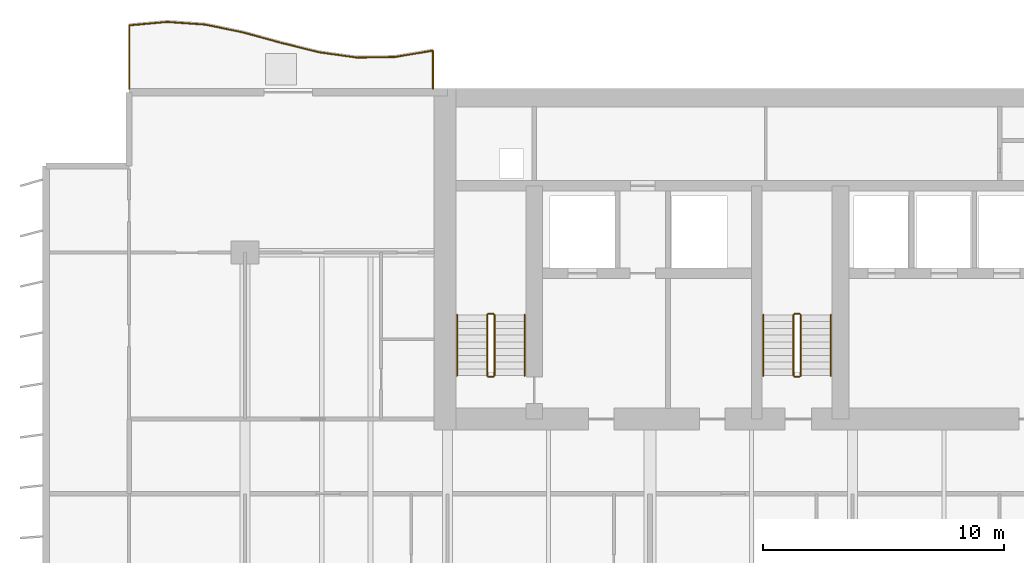
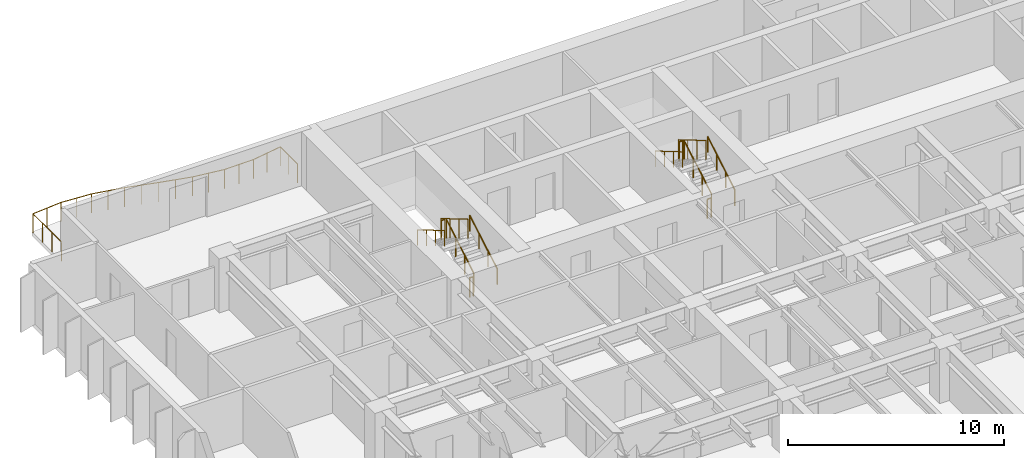
# One storey, part 15 of 17: 13 railings.
"""IFC4 building model written with IfcOpenShell, lengths in metres."""

import ifcopenshell
import ifcopenshell.guid

model = None  # the IFC model being written
_history = None  # IfcOwnerHistory: only IFC2X3 demands one
_inside = {}  # id of a spatial element -> (the spatial element, [elements in it])
_under = {}  # id of a project, library or spatial element -> (it, [spatial elements below it])
_declared = {}  # id of a project -> (the project, [libraries it declares])
_typed = {}  # id of a type object -> (the type object, [elements of that type])
_made_of = {}  # id of a material, layer set ... -> (it, [elements and type objects made of it])


def new_model(schema):
    """Start an empty IFC model of exactly this schema.

    Asked for "IFC4X3", IfcOpenShell would pick the latest addendum, in which some entities
    have other attributes; the version numbers below select the first issue.
    IFC2X3 requires an IfcOwnerHistory on every rooted entity: one is made here for all.
    """
    global model, _history
    if schema == "IFC4X3":
        model = ifcopenshell.file(schema_version=(4, 3, 0, 0))
    else:
        model = ifcopenshell.file(schema=schema)
    _inside.clear()
    _under.clear()
    _declared.clear()
    _typed.clear()
    _made_of.clear()
    _history = None
    if model.schema == "IFC2X3":
        org = make("IfcOrganization", Name="unknown")
        user = make(
            "IfcPersonAndOrganization",
            ThePerson=make("IfcPerson", FamilyName="unknown"),
            TheOrganization=org,
        )
        app = make(
            "IfcApplication",
            ApplicationDeveloper=org,
            Version="unknown",
            ApplicationFullName="unknown",
            ApplicationIdentifier="unknown",
        )
        _history = make(
            "IfcOwnerHistory",
            OwningUser=user,
            OwningApplication=app,
            ChangeAction="ADDED",
            CreationDate=0,
        )
    return model


def make(cls, **values):
    """One entity of the class cls with the attributes given. An attribute that is None is left unset."""
    return model.create_entity(
        cls, **{name: value for name, value in values.items() if value is not None}
    )


def rooted(cls, **values):
    """An entity with a GlobalId (a new one), such as an element, a storey or a relation."""
    return make(cls, GlobalId=ifcopenshell.guid.new(), OwnerHistory=_history, **values)


def si_unit(unit_type, name, prefix=None):
    """IfcSIUnit, for example si_unit("LENGTHUNIT", "METRE", prefix="MILLI")."""
    return make("IfcSIUnit", UnitType=unit_type, Prefix=prefix, Name=name)


def assignment(units):
    """IfcUnitAssignment: the units of a project."""
    return None if units is None else make("IfcUnitAssignment", Units=units)


def point(xyz):
    """IfcCartesianPoint."""
    return None if xyz is None else make("IfcCartesianPoint", Coordinates=xyz)


def direction(xyz):
    """IfcDirection."""
    return None if xyz is None else make("IfcDirection", DirectionRatios=xyz)


def frame(location, z_axis=None, x_axis=None):
    """IfcAxis2Placement3D, a coordinate frame: its origin and axes. An axis left out is left unset."""
    return make(
        "IfcAxis2Placement3D",
        Location=point(location),
        Axis=direction(z_axis),
        RefDirection=direction(x_axis),
    )


def frame_2d(location, x_axis=None):
    """IfcAxis2Placement2D, a coordinate frame in the plane: its origin and x axis."""
    return make(
        "IfcAxis2Placement2D", Location=point(location), RefDirection=direction(x_axis)
    )


def origin():
    """The frame at (0, 0, 0) with its axes left unset."""
    return frame((0.0, 0.0, 0.0))


def origin_2d():
    """The frame at (0, 0) in the plane with its x axis left unset."""
    return frame_2d((0.0, 0.0))


def place(relative_to, where):
    """IfcLocalPlacement: puts the frame where relative to a parent placement (None: the world)."""
    return make(
        "IfcLocalPlacement", PlacementRelTo=relative_to, RelativePlacement=where
    )


def context(
    kind, dimensions, precision=None, world=None, true_north=None, identifier=None
):
    """IfcGeometricRepresentationContext, for example the 3D "Model" context."""
    return make(
        "IfcGeometricRepresentationContext",
        ContextIdentifier=identifier,
        ContextType=kind,
        CoordinateSpaceDimension=dimensions,
        Precision=precision,
        WorldCoordinateSystem=world,
        TrueNorth=true_north,
    )


def subcontext(parent, identifier, kind, view, scale=None):
    """IfcGeometricRepresentationSubContext, for example "Body" below "Model"."""
    return make(
        "IfcGeometricRepresentationSubContext",
        ContextIdentifier=identifier,
        ContextType=kind,
        ParentContext=parent,
        TargetScale=scale,
        TargetView=view,
    )


def project(units=None, contexts=None):
    """IfcProject with its units and contexts."""
    return rooted(
        "IfcProject",
        Name="project",
        RepresentationContexts=contexts,
        UnitsInContext=assignment(units),
    )


def spatial(cls, under=None, at=None, **own):
    """A site, building, storey or space (cls), placed at a placement, below another one or the project."""
    s = rooted(cls, ObjectPlacement=at, **own)
    if under is not None:
        _under.setdefault(under.id(), (under, []))[1].append(s)
    return s


def profile(cls, at=None, kind="AREA", **sizes):
    """A parametric profile (cls). Its sizes go by their IFC names, for example OverallWidth=200.0."""
    return make(cls, ProfileType=kind, Position=at, **sizes)


def circle(**sizes):
    """IfcCircleProfileDef."""
    return profile("IfcCircleProfileDef", **sizes)


def extrude(swept, where, along, depth):
    """IfcExtrudedAreaSolid: the profile swept, set in the frame where, extruded along a direction by depth."""
    return make(
        "IfcExtrudedAreaSolid",
        SweptArea=swept,
        Position=where,
        ExtrudedDirection=direction(along),
        Depth=depth,
    )


def shape(context_of_items, identifier, shape_type, items):
    """IfcShapeRepresentation: the items that make up one representation, for example the "Body"."""
    return make(
        "IfcShapeRepresentation",
        ContextOfItems=context_of_items,
        RepresentationIdentifier=identifier,
        RepresentationType=shape_type,
        Items=items,
    )


def material(Name=None, Category=None):
    """IfcMaterial."""
    return make("IfcMaterial", Name=Name, Category=Category)


def made_of(thing, what):
    """Note that an element or type object is made of a material, layer set ...; save() writes the relation."""
    if what is not None:
        _made_of.setdefault(what.id(), (what, []))[1].append(thing)
    return thing


def type_object(cls, material=None, **own):
    """A type object (cls), such as IfcWallType, which elements share."""
    return made_of(rooted(cls, **own), material)


def element(
    cls,
    number,
    at=None,
    inside=None,
    cuts=None,
    type_object=None,
    material=None,
    context=None,
    identifier="Body",
    shape_type=None,
    held_by="IfcProductDefinitionShape",
    body=None,
    shapes=None,
    **own,
):
    """One element of the class cls, such as IfcWall. Its Tag is "e" and its number.

    at: its placement. inside: the storey or other place that contains it. cuts: it is an
    opening in that element (IfcRelVoidsElement). A single representation is given by context,
    identifier, shape_type and body (its items); several are given by shapes. held_by: the class
    of the entity that holds the representations. save() writes the other relations.
    """
    e = rooted(cls, Tag="e%d" % number, ObjectPlacement=at, **own)
    if body is not None:
        shapes = [shape(context, identifier, shape_type, body)]
    if shapes is not None:
        e.Representation = make(held_by, Representations=shapes)
    if inside is not None:
        _inside.setdefault(inside.id(), (inside, []))[1].append(e)
    if cuts is not None:
        rooted(
            "IfcRelVoidsElement", RelatingBuildingElement=cuts, RelatedOpeningElement=e
        )
    if type_object is not None:
        _typed.setdefault(type_object.id(), (type_object, []))[1].append(e)
    return made_of(e, material)


def aggregate(whole, parts):
    """IfcRelAggregates: a whole, such as a stair, and the parts it consists of."""
    return rooted("IfcRelAggregates", RelatingObject=whole, RelatedObjects=parts)


def save(model, path):
    """Write the relations noted so far, then the file.

    IfcRelAggregates (storeys below a building ...), IfcRelContainedInSpatialStructure (elements
    in a storey), IfcRelDefinesByType, IfcRelAssociatesMaterial and IfcRelDeclares: one each for
    every whole, place, type object, material and project.
    """
    for whole, parts in _under.values():
        aggregate(whole, parts)
    for where, things in _inside.values():
        rooted(
            "IfcRelContainedInSpatialStructure",
            RelatedElements=things,
            RelatingStructure=where,
        )
    for kind, things in _typed.values():
        rooted("IfcRelDefinesByType", RelatedObjects=things, RelatingType=kind)
    for what, things in _made_of.values():
        rooted("IfcRelAssociatesMaterial", RelatedObjects=things, RelatingMaterial=what)
    for by, libraries in _declared.values():
        rooted("IfcRelDeclares", RelatingContext=by, RelatedDefinitions=libraries)
    model.write(path)


model = new_model("IFC4")

# Units and contexts
model_context = context("Model", 3, precision=1e-05, world=origin(), true_north=direction((0.0, 1.0)))
body_context = subcontext(model_context, "Body", "Model", "MODEL_VIEW")
ifc_project = project(units=[si_unit("LENGTHUNIT", "METRE"), si_unit("AREAUNIT", "SQUARE_METRE"), si_unit("VOLUMEUNIT", "CUBIC_METRE"), si_unit("PLANEANGLEUNIT", "RADIAN"), si_unit("MASSUNIT", "GRAM", prefix="KILO")], contexts=[model_context])

# Site, building, storey
site_placement = place(None, origin())
site = spatial("IfcSite", under=ifc_project, at=site_placement, CompositionType="ELEMENT")
building_placement = place(site_placement, origin())
building = spatial("IfcBuilding", under=site, at=building_placement, Name="Caelmar Bay Residences", CompositionType="ELEMENT")
storey_placement = place(building_placement, frame((0.0, 0.0, 59.699951171875)))
storey = spatial("IfcBuildingStorey", under=building, at=storey_placement, Name="L15", CompositionType="ELEMENT", Elevation=59.699951171875)

# Railings
ifc_material_1 = material(Name="Anodised bronze handrail with laminated hurricane glass infill", Category="glass")
railing_type_1 = type_object("IfcRailingType", Name="RL-BAL-1100", PredefinedType="BALUSTRADE", material=ifc_material_1)
railing_1_placement = place(storey_placement, frame((17.699951171875, 50.60009765625, 0.0)))
element("IfcRailing", 1, at=railing_1_placement, inside=storey, type_object=railing_type_1, Name="L15 north_west Balcony Balustrade", PredefinedType="BALUSTRADE", context=body_context, shape_type="SweptSolid", body=[
    extrude(circle(Radius=0.02392578125, at=origin_2d()), frame((0.0, 0.0, 1.076171875), z_axis=(0.0, 1.0, 0.0), x_axis=(-1.0, 0.0, 0.0)), (0.0, 0.0, 1.0), 1.5791015625),
    extrude(circle(Radius=0.02392578125, at=origin_2d()), frame((0.0, 1.5791015625, 1.076171875), z_axis=(-0.986373253557, -0.16452296091, 0.0), x_axis=(0.16452296091, -0.986373253557, 0.0)), (0.0, 0.0, 1.0), 1.5966796875),
    extrude(circle(Radius=0.02392578125, at=origin_2d()), frame((-1.574951171875, 1.31640625, 1.076171875), z_axis=(-0.999865029232, -0.016429343218, 0.0), x_axis=(0.016429343218, -0.999865029232, 0.0)), (0.0, 0.0, 1.0), 1.5751953125),
    extrude(circle(Radius=0.02392578125, at=origin_2d()), frame((-3.14990234375, 1.29052734375, 1.076171875), z_axis=(-0.990365762787, 0.138476192534, 0.0), x_axis=(-0.138476192534, -0.990365762787, 0.0)), (0.0, 0.0, 1.0), 1.59033203125),
    extrude(circle(Radius=0.02392578125, at=origin_2d()), frame((-4.724853515625, 1.5107421875, 1.076171875), z_axis=(-0.970424957925, 0.241402984729, 0.0), x_axis=(-0.241402984729, -0.970424957925, 0.0)), (0.0, 0.0, 1.0), 1.623291015625),
    extrude(circle(Radius=0.02392578125, at=origin_2d()), frame((-6.300048828125, 1.902587890625, 1.076171875), z_axis=(-0.964473421299, 0.264179900083, 0.0), x_axis=(-0.264179900083, -0.964473421299, 0.0)), (0.0, 0.0, 1.0), 1.633056640625),
    extrude(circle(Radius=0.02392578125, at=origin_2d()), frame((-7.875, 2.333984375, 1.076171875), z_axis=(-0.97931127967, 0.202359624213, 0.0), x_axis=(-0.202359624213, -0.97931127967, 0.0)), (0.0, 0.0, 1.0), 1.608154296875),
    extrude(circle(Radius=0.02392578125, at=origin_2d()), frame((-9.449951171875, 2.659423828125, 1.076171875), z_axis=(-0.997575849837, 0.069587526341, 0.0), x_axis=(-0.069587526341, -0.997575849837, 0.0)), (0.0, 0.0, 1.0), 1.578857421875),
    extrude(circle(Radius=0.02392578125, at=origin_2d()), frame((-11.02490234375, 2.769287109375, 1.076171875), z_axis=(-0.995927302368, -0.090159904601, 0.0), x_axis=(0.090159904601, -0.995927302368, 0.0)), (0.0, 0.0, 1.0), 1.581298828125),
    extrude(circle(Radius=0.02392578125, at=origin_2d()), frame((-12.599853515625, 2.626708984375, 1.076171875), z_axis=(0.0, -1.0, 0.0), x_axis=(1.0, 0.0, 0.0)), (0.0, 0.0, 1.0), 2.626708984375),
    extrude(circle(Radius=0.02099609375, at=origin_2d()), origin(), (0.0, 0.0, 1.0), 1.052001953125),
    extrude(circle(Radius=0.02099609375, at=origin_2d()), frame((0.0, 0.78955078125, 0.0)), (0.0, 0.0, 1.0), 1.052001953125),
    extrude(circle(Radius=0.02099609375, at=origin_2d()), frame((0.0, 1.5791015625, 0.0)), (0.0, 0.0, 1.0), 1.052001953125),
    extrude(circle(Radius=0.02099609375, at=origin_2d()), frame((-0.78759765625, 1.44775390625, 0.0)), (0.0, 0.0, 1.0), 1.052001953125),
    extrude(circle(Radius=0.02099609375, at=origin_2d()), frame((-1.574951171875, 1.31640625, 0.0)), (0.0, 0.0, 1.0), 1.052001953125),
    extrude(circle(Radius=0.02099609375, at=origin_2d()), frame((-2.3623046875, 1.303466796875, 0.0)), (0.0, 0.0, 1.0), 1.052001953125),
    extrude(circle(Radius=0.02099609375, at=origin_2d()), frame((-3.14990234375, 1.29052734375, 0.0)), (0.0, 0.0, 1.0), 1.052001953125),
    extrude(circle(Radius=0.02099609375, at=origin_2d()), frame((-3.9375, 1.400634765625, 0.0)), (0.0, 0.0, 1.0), 1.052001953125),
    extrude(circle(Radius=0.02099609375, at=origin_2d()), frame((-4.724853515625, 1.5107421875, 0.0)), (0.0, 0.0, 1.0), 1.052001953125),
    extrude(circle(Radius=0.02099609375, at=origin_2d()), frame((-5.512451171875, 1.70654296875, 0.0)), (0.0, 0.0, 1.0), 1.052001953125),
    extrude(circle(Radius=0.02099609375, at=origin_2d()), frame((-6.300048828125, 1.902587890625, 0.0)), (0.0, 0.0, 1.0), 1.052001953125),
    extrude(circle(Radius=0.02099609375, at=origin_2d()), frame((-7.08740234375, 2.1181640625, 0.0)), (0.0, 0.0, 1.0), 1.052001953125),
    extrude(circle(Radius=0.02099609375, at=origin_2d()), frame((-7.875, 2.333984375, 0.0)), (0.0, 0.0, 1.0), 1.052001953125),
    extrude(circle(Radius=0.02099609375, at=origin_2d()), frame((-8.66259765625, 2.49658203125, 0.0)), (0.0, 0.0, 1.0), 1.052001953125),
    extrude(circle(Radius=0.02099609375, at=origin_2d()), frame((-9.449951171875, 2.659423828125, 0.0)), (0.0, 0.0, 1.0), 1.052001953125),
    extrude(circle(Radius=0.02099609375, at=origin_2d()), frame((-10.2373046875, 2.71435546875, 0.0)), (0.0, 0.0, 1.0), 1.052001953125),
    extrude(circle(Radius=0.02099609375, at=origin_2d()), frame((-11.02490234375, 2.769287109375, 0.0)), (0.0, 0.0, 1.0), 1.052001953125),
    extrude(circle(Radius=0.02099609375, at=origin_2d()), frame((-11.8125, 2.697998046875, 0.0)), (0.0, 0.0, 1.0), 1.052001953125),
    extrude(circle(Radius=0.02099609375, at=origin_2d()), frame((-12.599853515625, 2.626708984375, 0.0)), (0.0, 0.0, 1.0), 1.052001953125),
    extrude(circle(Radius=0.02099609375, at=origin_2d()), frame((-12.599853515625, 1.751220703125, 0.0)), (0.0, 0.0, 1.0), 1.052001953125),
    extrude(circle(Radius=0.02099609375, at=origin_2d()), frame((-12.599853515625, 0.87548828125, 0.0)), (0.0, 0.0, 1.0), 1.052001953125),
    extrude(circle(Radius=0.02099609375, at=origin_2d()), frame((-12.599853515625, 0.0, 0.0)), (0.0, 0.0, 1.0), 1.052001953125),
])
ifc_material_2 = material(Name="Painted galvanized steel stair guard 1100 mm", Category="steel")
railing_type_2 = type_object("IfcRailingType", Name="RL-GRD-1100", PredefinedType="GUARDRAIL", material=ifc_material_2)
railing_2_placement = place(storey_placement, frame((20.25, 38.699951171875, 0.1650390625)))
element("IfcRailing", 2, at=railing_2_placement, inside=storey, type_object=railing_type_2, Name="L15 ST1 stair guard 1", PredefinedType="GUARDRAIL", context=body_context, shape_type="SweptSolid", body=[
    extrude(circle(Radius=0.02392578125, at=origin_2d()), frame((0.0, 0.0, 1.076171875), z_axis=(0.0, 0.86152411907, 0.507716645641), x_axis=(-1.0, 0.0, 0.0)), (0.0, 0.0, 1.0), 2.925048828125),
    extrude(circle(Radius=0.02099609375, at=origin_2d()), origin(), (0.0, 0.0, 1.0), 1.052001953125),
    extrude(circle(Radius=0.02099609375, at=origin_2d()), frame((0.0, 0.840087890625, 0.4951171875)), (0.0, 0.0, 1.0), 1.052001953125),
    extrude(circle(Radius=0.02099609375, at=origin_2d()), frame((0.0, 1.679931640625, 0.989990234375)), (0.0, 0.0, 1.0), 1.052001953125),
    extrude(circle(Radius=0.02099609375, at=origin_2d()), frame((0.0, 2.52001953125, 1.485107421875)), (0.0, 0.0, 1.0), 1.052001953125),
])
railing_3_placement = place(storey_placement, frame((20.199951171875, 41.27001953125, 1.650146484375)))
element("IfcRailing", 3, at=railing_3_placement, inside=storey, type_object=railing_type_2, Name="L15 ST1 stair guard 2", PredefinedType="GUARDRAIL", context=body_context, shape_type="SweptSolid", body=[
    extrude(circle(Radius=0.02392578125, at=origin_2d()), frame((0.0, 0.0, 1.076171875), z_axis=(-1.0, 0.0, 0.0), x_axis=(0.0, -1.0, 0.0)), (0.0, 0.0, 1.0), 0.199951171875),
    extrude(circle(Radius=0.02099609375, at=origin_2d()), origin(), (0.0, 0.0, 1.0), 1.052001953125),
    extrude(circle(Radius=0.02099609375, at=origin_2d()), frame((-0.199951171875, 0.0, 0.0)), (0.0, 0.0, 1.0), 1.052001953125),
])
railing_4_placement = place(storey_placement, frame((19.949951171875, 41.219970703125, 1.81494140625)))
element("IfcRailing", 4, at=railing_4_placement, inside=storey, type_object=railing_type_2, Name="L15 ST1 stair guard 3", PredefinedType="GUARDRAIL", context=body_context, shape_type="SweptSolid", body=[
    extrude(circle(Radius=0.02392578125, at=origin_2d()), frame((0.0, 0.0, 1.076171875), z_axis=(0.0, -0.86152411907, 0.507716645641), x_axis=(1.0, 0.0, 0.0)), (0.0, 0.0, 1.0), 2.925048828125),
    extrude(circle(Radius=0.02099609375, at=origin_2d()), origin(), (0.0, 0.0, 1.0), 1.052001953125),
    extrude(circle(Radius=0.02099609375, at=origin_2d()), frame((0.0, -0.840087890625, 0.4951171875)), (0.0, 0.0, 1.0), 1.052001953125),
    extrude(circle(Radius=0.02099609375, at=origin_2d()), frame((0.0, -1.679931640625, 0.989990234375)), (0.0, 0.0, 1.0), 1.052001953125),
    extrude(circle(Radius=0.02099609375, at=origin_2d()), frame((0.0, -2.52001953125, 1.485107421875)), (0.0, 0.0, 1.0), 1.052001953125),
])
railing_5_placement = place(storey_placement, frame((20.199951171875, 38.64990234375, 0.0)))
element("IfcRailing", 5, at=railing_5_placement, inside=storey, type_object=railing_type_2, Name="L15 ST1 stair guard 4", PredefinedType="GUARDRAIL", context=body_context, shape_type="SweptSolid", body=[
    extrude(circle(Radius=0.02392578125, at=origin_2d()), frame((0.0, 0.0, 1.076171875), z_axis=(-1.0, 0.0, 0.0), x_axis=(0.0, -1.0, 0.0)), (0.0, 0.0, 1.0), 0.199951171875),
    extrude(circle(Radius=0.02099609375, at=origin_2d()), origin(), (0.0, 0.0, 1.0), 1.052001953125),
    extrude(circle(Radius=0.02099609375, at=origin_2d()), frame((-0.199951171875, 0.0, 0.0)), (0.0, 0.0, 1.0), 1.052001953125),
])
railing_6_placement = place(storey_placement, frame((32.949951171875, 38.699951171875, 0.1650390625)))
element("IfcRailing", 6, at=railing_6_placement, inside=storey, type_object=railing_type_2, Name="L15 ST3 stair guard 1", PredefinedType="GUARDRAIL", context=body_context, shape_type="SweptSolid", body=[
    extrude(circle(Radius=0.02392578125, at=origin_2d()), frame((0.0, 0.0, 1.076171875), z_axis=(0.0, 0.86152411907, 0.507716645641), x_axis=(-1.0, 0.0, 0.0)), (0.0, 0.0, 1.0), 2.925048828125),
    extrude(circle(Radius=0.02099609375, at=origin_2d()), origin(), (0.0, 0.0, 1.0), 1.052001953125),
    extrude(circle(Radius=0.02099609375, at=origin_2d()), frame((0.0, 0.840087890625, 0.4951171875)), (0.0, 0.0, 1.0), 1.052001953125),
    extrude(circle(Radius=0.02099609375, at=origin_2d()), frame((0.0, 1.679931640625, 0.989990234375)), (0.0, 0.0, 1.0), 1.052001953125),
    extrude(circle(Radius=0.02099609375, at=origin_2d()), frame((0.0, 2.52001953125, 1.485107421875)), (0.0, 0.0, 1.0), 1.052001953125),
])
railing_7_placement = place(storey_placement, frame((32.89990234375, 41.27001953125, 1.650146484375)))
element("IfcRailing", 7, at=railing_7_placement, inside=storey, type_object=railing_type_2, Name="L15 ST3 stair guard 2", PredefinedType="GUARDRAIL", context=body_context, shape_type="SweptSolid", body=[
    extrude(circle(Radius=0.02392578125, at=origin_2d()), frame((0.0, 0.0, 1.076171875), z_axis=(-1.0, 0.0, 0.0), x_axis=(0.0, -1.0, 0.0)), (0.0, 0.0, 1.0), 0.199951171875),
    extrude(circle(Radius=0.02099609375, at=origin_2d()), origin(), (0.0, 0.0, 1.0), 1.052001953125),
    extrude(circle(Radius=0.02099609375, at=origin_2d()), frame((-0.199951171875, 0.0, 0.0)), (0.0, 0.0, 1.0), 1.052001953125),
])
railing_8_placement = place(storey_placement, frame((32.64990234375, 41.219970703125, 1.81494140625)))
element("IfcRailing", 8, at=railing_8_placement, inside=storey, type_object=railing_type_2, Name="L15 ST3 stair guard 3", PredefinedType="GUARDRAIL", context=body_context, shape_type="SweptSolid", body=[
    extrude(circle(Radius=0.02392578125, at=origin_2d()), frame((0.0, 0.0, 1.076171875), z_axis=(0.0, -0.86152411907, 0.507716645641), x_axis=(1.0, 0.0, 0.0)), (0.0, 0.0, 1.0), 2.925048828125),
    extrude(circle(Radius=0.02099609375, at=origin_2d()), origin(), (0.0, 0.0, 1.0), 1.052001953125),
    extrude(circle(Radius=0.02099609375, at=origin_2d()), frame((0.0, -0.840087890625, 0.4951171875)), (0.0, 0.0, 1.0), 1.052001953125),
    extrude(circle(Radius=0.02099609375, at=origin_2d()), frame((0.0, -1.679931640625, 0.989990234375)), (0.0, 0.0, 1.0), 1.052001953125),
    extrude(circle(Radius=0.02099609375, at=origin_2d()), frame((0.0, -2.52001953125, 1.485107421875)), (0.0, 0.0, 1.0), 1.052001953125),
])
railing_9_placement = place(storey_placement, frame((32.89990234375, 38.64990234375, 0.0)))
element("IfcRailing", 9, at=railing_9_placement, inside=storey, type_object=railing_type_2, Name="L15 ST3 stair guard 4", PredefinedType="GUARDRAIL", context=body_context, shape_type="SweptSolid", body=[
    extrude(circle(Radius=0.02392578125, at=origin_2d()), frame((0.0, 0.0, 1.076171875), z_axis=(-1.0, 0.0, 0.0), x_axis=(0.0, -1.0, 0.0)), (0.0, 0.0, 1.0), 0.199951171875),
    extrude(circle(Radius=0.02099609375, at=origin_2d()), origin(), (0.0, 0.0, 1.0), 1.052001953125),
    extrude(circle(Radius=0.02099609375, at=origin_2d()), frame((-0.199951171875, 0.0, 0.0)), (0.0, 0.0, 1.0), 1.052001953125),
])
ifc_material_3 = material(Name="Brushed bronze stainless-steel tubular handrail 900 mm", Category="steel")
railing_type_3 = type_object("IfcRailingType", Name="RL-HND-900", PredefinedType="HANDRAIL", material=ifc_material_3)
railing_10_placement = place(storey_placement, frame((21.5, 38.699951171875, 0.1650390625)))
element("IfcRailing", 10, at=railing_10_placement, inside=storey, type_object=railing_type_3, Name="L15 ST1 stair handrail 1", PredefinedType="HANDRAIL", context=body_context, shape_type="SweptSolid", body=[
    extrude(circle(Radius=0.02392578125, at=origin_2d()), frame((0.0, 0.0, 0.8759765625), z_axis=(0.0, 0.86152411907, 0.507716645641), x_axis=(-1.0, 0.0, 0.0)), (0.0, 0.0, 1.0), 2.925048828125),
    extrude(circle(Radius=0.02099609375, at=origin_2d()), origin(), (0.0, 0.0, 1.0), 0.851806640625),
    extrude(circle(Radius=0.02099609375, at=origin_2d()), frame((0.0, 0.840087890625, 0.4951171875)), (0.0, 0.0, 1.0), 0.851806640625),
    extrude(circle(Radius=0.02099609375, at=origin_2d()), frame((0.0, 1.679931640625, 0.989990234375)), (0.0, 0.0, 1.0), 0.851806640625),
    extrude(circle(Radius=0.02099609375, at=origin_2d()), frame((0.0, 2.52001953125, 1.485107421875)), (0.0, 0.0, 1.0), 0.851806640625),
])
railing_11_placement = place(storey_placement, frame((18.699951171875, 41.219970703125, 1.81494140625)))
element("IfcRailing", 11, at=railing_11_placement, inside=storey, type_object=railing_type_3, Name="L15 ST1 stair handrail 2", PredefinedType="HANDRAIL", context=body_context, shape_type="SweptSolid", body=[
    extrude(circle(Radius=0.02392578125, at=origin_2d()), frame((0.0, 0.0, 0.8759765625), z_axis=(0.0, -0.86152411907, 0.507716645641), x_axis=(1.0, 0.0, 0.0)), (0.0, 0.0, 1.0), 2.925048828125),
    extrude(circle(Radius=0.02099609375, at=origin_2d()), origin(), (0.0, 0.0, 1.0), 0.851806640625),
    extrude(circle(Radius=0.02099609375, at=origin_2d()), frame((0.0, -0.840087890625, 0.4951171875)), (0.0, 0.0, 1.0), 0.851806640625),
    extrude(circle(Radius=0.02099609375, at=origin_2d()), frame((0.0, -1.679931640625, 0.989990234375)), (0.0, 0.0, 1.0), 0.851806640625),
    extrude(circle(Radius=0.02099609375, at=origin_2d()), frame((0.0, -2.52001953125, 1.485107421875)), (0.0, 0.0, 1.0), 0.851806640625),
])
railing_12_placement = place(storey_placement, frame((34.199951171875, 38.699951171875, 0.1650390625)))
element("IfcRailing", 12, at=railing_12_placement, inside=storey, type_object=railing_type_3, Name="L15 ST3 stair handrail 1", PredefinedType="HANDRAIL", context=body_context, shape_type="SweptSolid", body=[
    extrude(circle(Radius=0.02392578125, at=origin_2d()), frame((0.0, 0.0, 0.8759765625), z_axis=(0.0, 0.86152411907, 0.507716645641), x_axis=(-1.0, 0.0, 0.0)), (0.0, 0.0, 1.0), 2.925048828125),
    extrude(circle(Radius=0.02099609375, at=origin_2d()), origin(), (0.0, 0.0, 1.0), 0.851806640625),
    extrude(circle(Radius=0.02099609375, at=origin_2d()), frame((0.0, 0.840087890625, 0.4951171875)), (0.0, 0.0, 1.0), 0.851806640625),
    extrude(circle(Radius=0.02099609375, at=origin_2d()), frame((0.0, 1.679931640625, 0.989990234375)), (0.0, 0.0, 1.0), 0.851806640625),
    extrude(circle(Radius=0.02099609375, at=origin_2d()), frame((0.0, 2.52001953125, 1.485107421875)), (0.0, 0.0, 1.0), 0.851806640625),
])
railing_13_placement = place(storey_placement, frame((31.39990234375, 41.219970703125, 1.81494140625)))
element("IfcRailing", 13, at=railing_13_placement, inside=storey, type_object=railing_type_3, Name="L15 ST3 stair handrail 2", PredefinedType="HANDRAIL", context=body_context, shape_type="SweptSolid", body=[
    extrude(circle(Radius=0.02392578125, at=origin_2d()), frame((0.0, 0.0, 0.8759765625), z_axis=(0.0, -0.86152411907, 0.507716645641), x_axis=(1.0, 0.0, 0.0)), (0.0, 0.0, 1.0), 2.925048828125),
    extrude(circle(Radius=0.02099609375, at=origin_2d()), origin(), (0.0, 0.0, 1.0), 0.851806640625),
    extrude(circle(Radius=0.02099609375, at=origin_2d()), frame((0.0, -0.840087890625, 0.4951171875)), (0.0, 0.0, 1.0), 0.851806640625),
    extrude(circle(Radius=0.02099609375, at=origin_2d()), frame((0.0, -1.679931640625, 0.989990234375)), (0.0, 0.0, 1.0), 0.851806640625),
    extrude(circle(Radius=0.02099609375, at=origin_2d()), frame((0.0, -2.52001953125, 1.485107421875)), (0.0, 0.0, 1.0), 0.851806640625),
])

save(model, "model.ifc")
